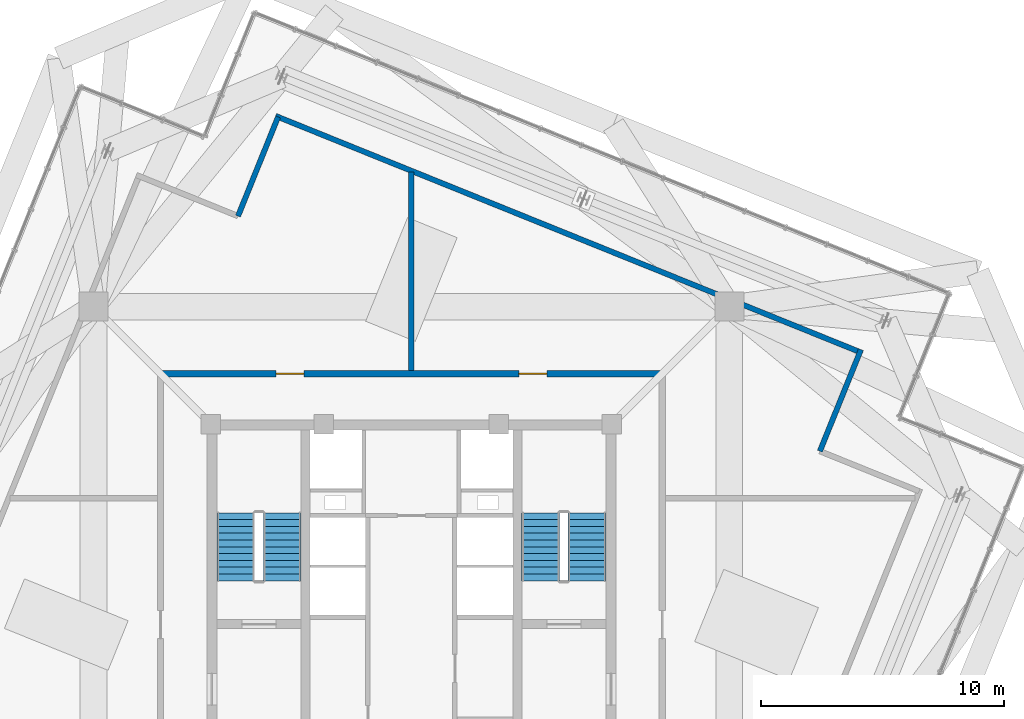
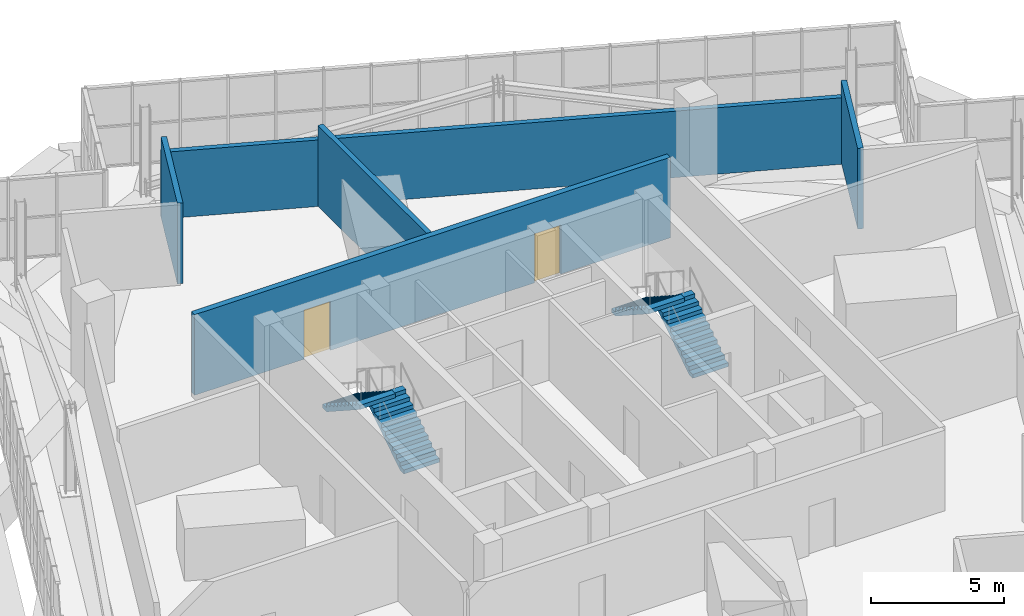
# One storey, part 33 of 35: 5 walls, 4 stair flights, 2 doors, 2 openings, 2 elements without a shape of their own.
"""IFC4 building model written with IfcOpenShell, lengths in metres."""

from ifc_helpers import new_model, si_unit, direction, frame, frame_2d, origin, place, context, subcontext, project, spatial, polyline, rectangle, outline, extrude, source, transform, mapped, material, layer, layer_set, type_object, element, fill, aggregate, save


model = new_model("IFC4")

# Units and contexts
model_context = context("Model", 3, precision=1e-05, world=origin(), true_north=direction((0.0, 1.0)))
body_context = subcontext(model_context, "Body", "Model", "MODEL_VIEW")
ifc_project = project(units=[si_unit("LENGTHUNIT", "METRE"), si_unit("AREAUNIT", "SQUARE_METRE"), si_unit("VOLUMEUNIT", "CUBIC_METRE"), si_unit("PLANEANGLEUNIT", "RADIAN"), si_unit("MASSUNIT", "GRAM", prefix="KILO"), si_unit("THERMODYNAMICTEMPERATUREUNIT", "KELVIN")], contexts=[model_context])

# Site, building, storey
site_placement = place(None, origin())
site = spatial("IfcSite", under=ifc_project, at=site_placement, CompositionType="ELEMENT")
building_placement = place(site_placement, origin())
building = spatial("IfcBuilding", under=site, at=building_placement, Name="Kosmvard Interchange Tower", CompositionType="ELEMENT")
storey_placement = place(building_placement, frame((0.0, 0.0, 321.60009765625)))
storey = spatial("IfcBuildingStorey", under=building, at=storey_placement, Name="L79", CompositionType="ELEMENT", Elevation=321.60009765625)

# Wall, openings, doors
ifc_material_1 = material(Name="Concrete blockwork masonry", Category="masonry")
ifc_layer_1 = layer(ifc_material_1, 0.25, Name="Concrete blockwork masonry")
ifc_layer_set_1 = layer_set([ifc_layer_1], Name="Concrete blockwork masonry")
wall_type_1 = type_object("IfcWallType", Name="Exit Passage & Firefighting Lobby Wall 250", PredefinedType="PARTITIONING", material=ifc_layer_set_1)
wall_1_placement = place(storey_placement, frame((-10.320068359375, 10.320068359375, 0.0), z_axis=(0.0, 0.0, 1.0), x_axis=(1.0, 0.0, 0.0)))
wall_1 = element("IfcWall", 1, at=wall_1_placement, inside=storey, type_object=wall_type_1, Name="L79 Corridor Wall CN", PredefinedType="PARTITIONING", context=body_context, shape_type="SweptSolid", body=[
    extrude(rectangle(XDim=20.64013671875, YDim=0.25, at=frame_2d((10.320068359375, 0.0))), origin(), (0.0, 0.0, 1.0), 3.699951171875),
])
opening_1_placement = place(wall_1_placement, frame((4.74951171875, 0.0, 0.0)))
opening_1 = element("IfcOpeningElement", 2, at=opening_1_placement, cuts=wall_1, Name="Opening L79-D01", PredefinedType="OPENING", context=body_context, shape_type="SweptSolid", body=[
    extrude(rectangle(XDim=1.14990234375, YDim=2.25, at=frame_2d((0.574951171875, 1.125))), frame((0.0, 0.135009765625, 0.0), z_axis=(0.0, -1.0, 0.0), x_axis=(1.0, 0.0, 0.0)), (0.0, 0.0, 1.0), 0.27001953125),
])
opening_2_placement = place(wall_1_placement, frame((14.740478515625, 0.0, 0.0)))
opening_2 = element("IfcOpeningElement", 3, at=opening_2_placement, cuts=wall_1, Name="Opening L79-D02", PredefinedType="OPENING", context=body_context, shape_type="SweptSolid", body=[
    extrude(rectangle(XDim=1.14990234375, YDim=2.25, at=frame_2d((0.574951171875, 1.125))), frame((0.0, 0.135009765625, 0.0), z_axis=(0.0, -1.0, 0.0), x_axis=(1.0, 0.0, 0.0)), (0.0, 0.0, 1.0), 0.27001953125),
])
ifc_material_2 = material(Name="Painted fire-rated steel leaf", Category="steel")
door_type = type_object("IfcDoorType", Name="Plant & Riser Fire Door 1150x2250 EI60", OperationType="NOTDEFINED", PredefinedType="DOOR", material=ifc_material_2)
shared_shape_1 = source(origin(), body_context, "Body", "SweptSolid", [
    extrude(rectangle(XDim=1.14990234375, YDim=2.25, at=frame_2d((0.574951171875, 1.125))), frame((0.0, 0.02490234375, 0.0), z_axis=(0.0, -1.0, 0.0), x_axis=(1.0, 0.0, 0.0)), (0.0, 0.0, 1.0), 0.050048828125),
])
door_1_placement = place(opening_1_placement, origin())
door_1 = element("IfcDoor", 4, at=door_1_placement, inside=storey, type_object=door_type, Name="L79 Crown Centrifugal Chiller Plant Room Door", OperationType="SINGLE_SWING_LEFT", OverallHeight=2.25, OverallWidth=1.14990234375, PredefinedType="DOOR", context=body_context, shape_type="MappedRepresentation", body=[
    mapped(shared_shape_1, transform((0.0, 0.0, 0.0), scale=1.0)),
])
fill(opening_1, door_1)
door_2_placement = place(opening_2_placement, origin())
door_2 = element("IfcDoor", 5, at=door_2_placement, inside=storey, type_object=door_type, Name="L79 Cooling Tower Plant Room Door", OperationType="SINGLE_SWING_RIGHT", OverallHeight=2.25, OverallWidth=1.14990234375, PredefinedType="DOOR", context=body_context, shape_type="MappedRepresentation", body=[
    mapped(shared_shape_1, transform((0.0, 0.0, 0.0), scale=1.0)),
])
fill(opening_2, door_2)

# Walls
ifc_layer_2 = layer(ifc_material_1, 0.219970703125, Name="Concrete blockwork masonry")
ifc_layer_set_2 = layer_set([ifc_layer_2], Name="Concrete blockwork masonry")
wall_type_2 = type_object("IfcWallType", Name="Riser & Plant Enclosure Wall 220", PredefinedType="PARTITIONING", material=ifc_layer_set_2)
wall_2_placement = place(storey_placement, frame((16.80615234375, 7.1337890625, 0.0), z_axis=(0.0, 0.0, 1.0), x_axis=(0.374599091925, 0.927186885331, 0.0)))
element("IfcWall", 6, at=wall_2_placement, inside=storey, type_object=wall_type_2, Name="L79 Crown Plant Enclosure Wall SE2", PredefinedType="PARTITIONING", context=body_context, shape_type="SweptSolid", body=[
    extrude(rectangle(XDim=4.510009765625, YDim=0.219970703125, at=frame_2d((2.2548828125, 0.0))), origin(), (0.0, 0.0, 1.0), 3.699951171875),
])
wall_3_placement = place(storey_placement, frame((18.556396484375, 11.172119140625, 0.0), z_axis=(0.0, 0.0, 1.0), x_axis=(-0.927181788521, 0.374611707018, 0.0)))
element("IfcWall", 7, at=wall_3_placement, inside=storey, type_object=wall_type_2, Name="L79 Crown Plant Enclosure Wall E", PredefinedType="PARTITIONING", context=body_context, shape_type="SweptSolid", body=[
    extrude(rectangle(XDim=26.0400390625, YDim=0.219970703125, at=frame_2d((13.02001953125, 0.0))), origin(), (0.0, 0.0, 1.0), 3.0498046875),
])
wall_4_placement = place(storey_placement, frame((-5.485595703125, 20.8857421875, 0.0), z_axis=(0.0, 0.0, 1.0), x_axis=(-0.374593321469, -0.927189216671, 0.0)))
element("IfcWall", 8, at=wall_4_placement, inside=storey, type_object=wall_type_2, Name="L79 Crown Plant Enclosure Wall NE1", PredefinedType="PARTITIONING", context=body_context, shape_type="SweptSolid", body=[
    extrude(rectangle(XDim=4.39990234375, YDim=0.219970703125, at=frame_2d((2.199951171875, 0.0))), origin(), (0.0, 0.0, 1.0), 3.699951171875),
])
wall_5_placement = place(storey_placement, frame((0.0, 10.449951171875, 0.0), z_axis=(0.0, 0.0, 1.0), x_axis=(0.0, 1.0, 0.0)))
element("IfcWall", 9, at=wall_5_placement, inside=storey, type_object=wall_type_2, Name="L79 Room Partition 01.1", PredefinedType="PARTITIONING", context=body_context, shape_type="SweptSolid", body=[
    extrude(rectangle(XDim=8.1708984375, YDim=0.219970703125, at=frame_2d((4.08544921875, 0.0))), origin(), (0.0, 0.0, 1.0), 3.699951171875),
])

# Stair, stair flights
ifc_material_3 = material(Name="Concrete C50/60", Category="concrete")
stair_type = type_object("IfcStairType", Name="Dog-Leg Core Exit Stair H4000 C50/60", PredefinedType="HALF_TURN_STAIR", material=ifc_material_3)
stair_1_placement = place(storey_placement, origin())
stair_1 = element("IfcStair", 10, at=stair_1_placement, inside=storey, type_object=stair_type, Name="L79 Protected Exit Stair ST-1", PredefinedType="HALF_TURN_STAIR")
stair_flight_type = type_object("IfcStairFlightType", Name="Core Stair Flight W1550 H4000 C50/60", PredefinedType="STRAIGHT", material=ifc_material_3)
shared_shape_2 = source(origin(), body_context, "Body", "SweptSolid", [
    extrude(outline(polyline([(0.0, 0.0), (0.0, 0.181884765625), (0.280029296875, 0.181884765625), (0.280029296875, 0.363525390625), (0.56005859375, 0.363525390625), (0.56005859375, 0.54541015625), (0.840087890625, 0.54541015625), (0.840087890625, 0.727294921875), (1.1201171875, 0.727294921875), (1.1201171875, 0.9091796875), (1.39990234375, 0.9091796875), (1.39990234375, 1.0908203125), (1.679931640625, 1.0908203125), (1.679931640625, 1.272705078125), (1.9599609375, 1.272705078125), (1.9599609375, 1.45458984375), (2.239990234375, 1.45458984375), (2.239990234375, 1.636474609375), (2.52001953125, 1.636474609375), (2.52001953125, 1.818115234375), (2.800048828125, 1.818115234375), (2.800048828125, 2.0), (2.800048828125, 1.62744140625), (0.293701171875, 0.0), (0.0, 0.0)])), frame((0.0, 0.77490234375, 0.0), z_axis=(0.0, -1.0, 0.0), x_axis=(1.0, 0.0, 0.0)), (0.0, 0.0, 1.0), 1.550048828125),
])
stair_flight_1_placement = place(storey_placement, frame((-5.31494140625, 1.800048828125, 0.0), z_axis=(0.0, 0.0, 1.0), x_axis=(0.0, 1.0, 0.0)))
stair_flight_1 = element("IfcStairFlight", 11, at=stair_flight_1_placement, type_object=stair_flight_type, Name="ST-1 flight 1", NumberOfRisers=11, NumberOfTreads=10, PredefinedType="STRAIGHT", RiserHeight=0.181818182, TreadLength=0.28, context=body_context, shape_type="MappedRepresentation", body=[
    mapped(shared_shape_2, transform((0.0, 0.0, 0.0), scale=1.0)),
])
stair_flight_2_placement = place(storey_placement, frame((-7.22509765625, 4.60009765625, 2.0), z_axis=(0.0, 0.0, 1.0), x_axis=(0.0, -1.0, 0.0)))
stair_flight_2 = element("IfcStairFlight", 12, at=stair_flight_2_placement, type_object=stair_flight_type, Name="ST-1 flight 2", NumberOfRisers=11, NumberOfTreads=10, PredefinedType="STRAIGHT", RiserHeight=0.181818182, TreadLength=0.28, context=body_context, shape_type="MappedRepresentation", body=[
    mapped(shared_shape_2, transform((0.0, 0.0, 0.0), scale=1.0)),
])
aggregate(stair_1, [stair_flight_1, stair_flight_2])

stair_2_placement = place(storey_placement, origin())
stair_2 = element("IfcStair", 13, at=stair_2_placement, inside=storey, type_object=stair_type, Name="L79 Protected Exit Stair ST-2", PredefinedType="HALF_TURN_STAIR")
stair_flight_3_placement = place(storey_placement, frame((7.22509765625, 1.800048828125, 0.0), z_axis=(0.0, 0.0, 1.0), x_axis=(0.0, 1.0, 0.0)))
stair_flight_3 = element("IfcStairFlight", 14, at=stair_flight_3_placement, type_object=stair_flight_type, Name="ST-2 flight 1", NumberOfRisers=11, NumberOfTreads=10, PredefinedType="STRAIGHT", RiserHeight=0.181818182, TreadLength=0.28, context=body_context, shape_type="MappedRepresentation", body=[
    mapped(shared_shape_2, transform((0.0, 0.0, 0.0), scale=1.0)),
])
stair_flight_4_placement = place(storey_placement, frame((5.31494140625, 4.60009765625, 2.0), z_axis=(0.0, 0.0, 1.0), x_axis=(0.0, -1.0, 0.0)))
stair_flight_4 = element("IfcStairFlight", 15, at=stair_flight_4_placement, type_object=stair_flight_type, Name="ST-2 flight 2", NumberOfRisers=11, NumberOfTreads=10, PredefinedType="STRAIGHT", RiserHeight=0.181818182, TreadLength=0.28, context=body_context, shape_type="MappedRepresentation", body=[
    mapped(shared_shape_2, transform((0.0, 0.0, 0.0), scale=1.0)),
])
aggregate(stair_2, [stair_flight_3, stair_flight_4])

save(model, "model.ifc")
